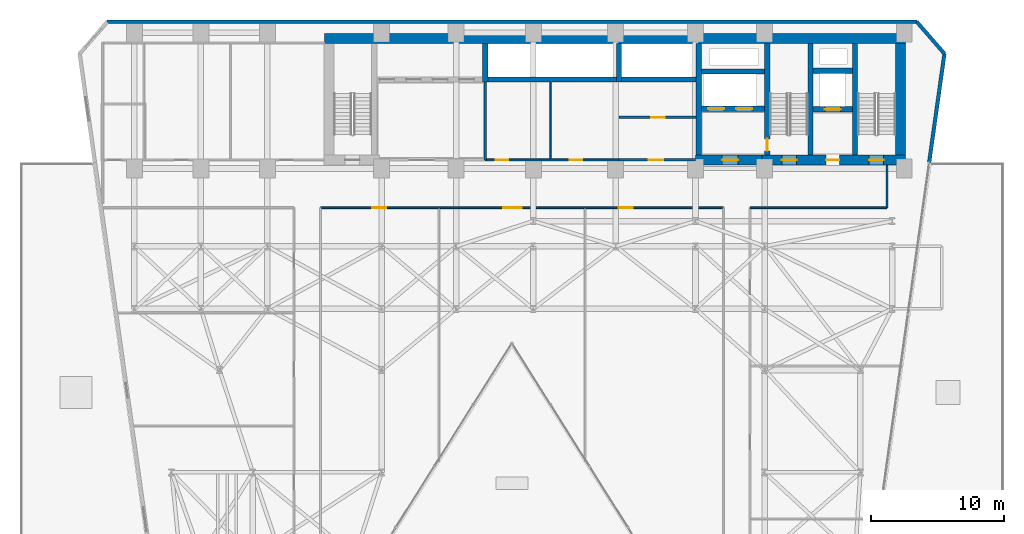
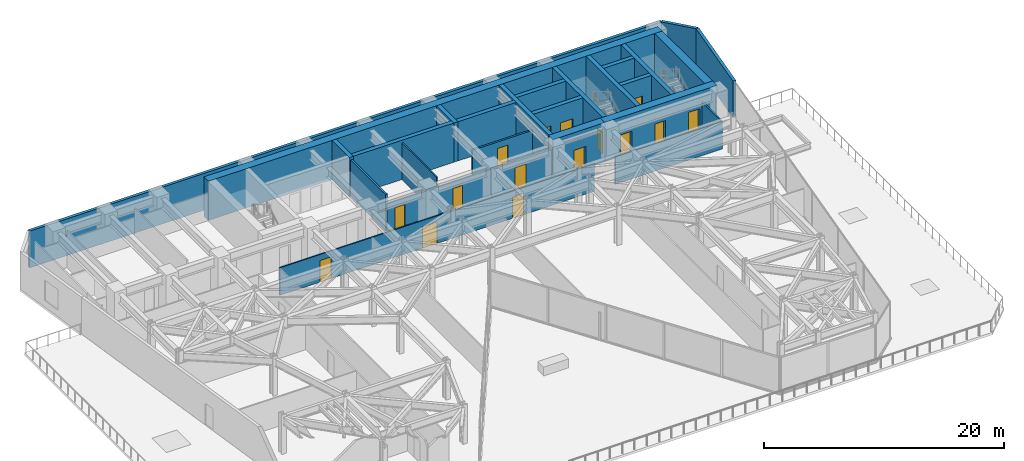
# One storey, part 19 of 25: 27 walls, 15 doors, 15 openings.
"""IFC4 building model written with IfcOpenShell, lengths in metres."""

from ifc_helpers import new_model, si_unit, direction, frame, frame_2d, origin, place, context, subcontext, project, spatial, rectangle, extrude, material, layer, layer_set, type_object, element, fill, save


model = new_model("IFC4")

# Units and contexts
model_context = context("Model", 3, precision=1e-05, world=origin(), true_north=direction((0.0, 1.0)))
body_context = subcontext(model_context, "Body", "Model", "MODEL_VIEW")
ifc_project = project(units=[si_unit("LENGTHUNIT", "METRE"), si_unit("AREAUNIT", "SQUARE_METRE"), si_unit("VOLUMEUNIT", "CUBIC_METRE"), si_unit("PLANEANGLEUNIT", "RADIAN"), si_unit("MASSUNIT", "GRAM", prefix="KILO")], contexts=[model_context])

# Site, building, storey
site_placement = place(None, origin())
site = spatial("IfcSite", under=ifc_project, at=site_placement, CompositionType="ELEMENT")
building_placement = place(site_placement, origin())
building = spatial("IfcBuilding", under=site, at=building_placement, Name="Kravanh Interchange Tower", CompositionType="ELEMENT")
storey_placement = place(building_placement, frame((0.0, 0.0, 29.5)))
storey = spatial("IfcBuildingStorey", under=building, at=storey_placement, Name="L06", CompositionType="ELEMENT", Elevation=29.5)

# Wall
ifc_material_1 = material(Name="Double Acoustic Gypsum Board and Mineral Wool")
ifc_layer_1 = layer(ifc_material_1, 0.1201171875)
ifc_layer_set_1 = layer_set([ifc_layer_1], Name="Acoustic Office Drywall Partition 120mm")
wall_type_1 = type_object("IfcWallType", Name="Acoustic Office Drywall Partition 120mm", PredefinedType="PARTITIONING", material=ifc_layer_set_1)
wall_1_placement = place(storey_placement, frame((39.89990234375, 38.068115234375, 0.0), z_axis=(0.0, 0.0, 1.0), x_axis=(0.0, 1.0, 0.0)))
element("IfcWall", 1, at=wall_1_placement, inside=storey, type_object=wall_type_1, Name="L06 Interior Partition 6", PredefinedType="PARTITIONING", context=body_context, shape_type="SweptSolid", body=[
    extrude(rectangle(XDim=5.77392578125, YDim=0.1201171875, at=frame_2d((2.886962890625, 0.0))), origin(), (0.0, 0.0, 1.0), 3.739990234375),
])

# Wall, openings, doors
wall_2_placement = place(storey_placement, frame((22.60009765625, 34.39990234375, 0.0), z_axis=(0.0, 0.0, 1.0), x_axis=(1.0, 0.0, 0.0)))
wall_2 = element("IfcWall", 2, at=wall_2_placement, inside=storey, type_object=wall_type_1, Name="L06 Interior Partition 14", PredefinedType="PARTITIONING", context=body_context, shape_type="SweptSolid", body=[
    extrude(rectangle(XDim=30.2998046875, YDim=0.1201171875, at=frame_2d((15.14990234375, 0.0))), origin(), (0.0, 0.0, 1.0), 2.81298828125),
])
opening_1_placement = place(wall_2_placement, frame((3.884521484375, 0.0, 0.0)))
opening_1 = element("IfcOpeningElement", 3, at=opening_1_placement, cuts=wall_2, Name="Opening D-105", PredefinedType="OPENING", context=body_context, shape_type="SweptSolid", body=[
    extrude(rectangle(XDim=1.050048828125, YDim=2.199951171875, at=frame_2d((0.52490234375, 1.10009765625))), frame((0.0, 0.070068359375, 0.0), z_axis=(0.0, -1.0, 0.0), x_axis=(1.0, 0.0, 0.0)), (0.0, 0.0, 1.0), 0.14013671875),
])
opening_2_placement = place(wall_2_placement, frame((13.740234375, 0.0, 0.0)))
opening_2 = element("IfcOpeningElement", 4, at=opening_2_placement, cuts=wall_2, Name="Opening DBL-140", PredefinedType="OPENING", context=body_context, shape_type="SweptSolid", body=[
    extrude(rectangle(XDim=1.39990234375, YDim=2.199951171875, at=frame_2d((0.699951171875, 1.10009765625))), frame((0.0, 0.070068359375, 0.0), z_axis=(0.0, -1.0, 0.0), x_axis=(1.0, 0.0, 0.0)), (0.0, 0.0, 1.0), 0.14013671875),
])
opening_3_placement = place(wall_2_placement, frame((22.41552734375, 0.0, 0.0)))
opening_3 = element("IfcOpeningElement", 5, at=opening_3_placement, cuts=wall_2, Name="Opening D-105", PredefinedType="OPENING", context=body_context, shape_type="SweptSolid", body=[
    extrude(rectangle(XDim=1.050048828125, YDim=2.199951171875, at=frame_2d((0.52490234375, 1.10009765625))), frame((0.0, 0.070068359375, 0.0), z_axis=(0.0, -1.0, 0.0), x_axis=(1.0, 0.0, 0.0)), (0.0, 0.0, 1.0), 0.14013671875),
])
ifc_material_2 = material(Name="Acoustic Bronze-Framed Glass", Category="glass")
door_type_1 = type_object("IfcDoorType", Name="Hospitality Lounge Double Door 1400x2200", OperationType="DOUBLE_DOOR_SINGLE_SWING", PredefinedType="DOOR", material=ifc_material_2)
door_1_placement = place(opening_2_placement, origin())
door_1 = element("IfcDoor", 6, at=door_1_placement, inside=storey, type_object=door_type_1, Name="L06 Staff Tea Kitchenette Door", OperationType="DOUBLE_DOOR_SINGLE_SWING", OverallHeight=2.199951171875, OverallWidth=1.39990234375, PredefinedType="DOOR", context=body_context, shape_type="SweptSolid", body=[
    extrude(rectangle(XDim=1.39990234375, YDim=2.199951171875, at=frame_2d((0.699951171875, 1.10009765625))), frame((0.0, 0.02490234375, 0.0), z_axis=(0.0, -1.0, 0.0), x_axis=(1.0, 0.0, 0.0)), (0.0, 0.0, 1.0), 0.050048828125),
])
fill(opening_2, door_1)
ifc_material_3 = material(Name="Acoustic Glazed Oak and Aluminium", Category="aluminium")
door_type_2 = type_object("IfcDoorType", Name="Office Workplace Door 1050x2200", OperationType="NOTDEFINED", PredefinedType="DOOR", material=ifc_material_3)
door_2_placement = place(opening_1_placement, origin())
door_2 = element("IfcDoor", 7, at=door_2_placement, inside=storey, type_object=door_type_2, Name="L06 Central Briefing Boardroom Door", OperationType="SINGLE_SWING_RIGHT", OverallHeight=2.199951171875, OverallWidth=1.050048828125, PredefinedType="DOOR", context=body_context, shape_type="SweptSolid", body=[
    extrude(rectangle(XDim=1.050048828125, YDim=2.199951171875, at=frame_2d((0.52490234375, 1.10009765625))), frame((0.0, 0.02490234375, 0.0), z_axis=(0.0, -1.0, 0.0), x_axis=(1.0, 0.0, 0.0)), (0.0, 0.0, 1.0), 0.050048828125),
])
fill(opening_1, door_2)
door_3_placement = place(opening_3_placement, origin())
door_3 = element("IfcDoor", 8, at=door_3_placement, inside=storey, type_object=door_type_2, Name="L06 Project Archive Store Door", OperationType="SINGLE_SWING_LEFT", OverallHeight=2.199951171875, OverallWidth=1.050048828125, PredefinedType="DOOR", context=body_context, shape_type="SweptSolid", body=[
    extrude(rectangle(XDim=1.050048828125, YDim=2.199951171875, at=frame_2d((0.52490234375, 1.10009765625))), frame((0.0, 0.02490234375, 0.0), z_axis=(0.0, -1.0, 0.0), x_axis=(1.0, 0.0, 0.0)), (0.0, 0.0, 1.0), 0.050048828125),
])
fill(opening_3, door_3)

# Walls
wall_3_placement = place(storey_placement, frame((54.89990234375, 34.39990234375, 0.0), z_axis=(0.0, 0.0, 1.0), x_axis=(1.0, 0.0, 0.0)))
element("IfcWall", 9, at=wall_3_placement, inside=storey, type_object=wall_type_1, Name="L06 Interior Partition 15", PredefinedType="PARTITIONING", context=body_context, shape_type="SweptSolid", body=[
    extrude(rectangle(XDim=10.300048828125, YDim=0.1201171875, at=frame_2d((5.14990234375, 0.0))), origin(), (0.0, 0.0, 1.0), 2.81298828125),
])
wall_4_placement = place(storey_placement, frame((65.199951171875, 34.39990234375, 0.0), z_axis=(0.0, 0.0, 1.0), x_axis=(0.0, 1.0, 0.0)))
element("IfcWall", 10, at=wall_4_placement, inside=storey, type_object=wall_type_1, Name="L06 Interior Partition 17", PredefinedType="PARTITIONING", context=body_context, shape_type="SweptSolid", body=[
    extrude(rectangle(XDim=3.217041015625, YDim=0.1201171875, at=frame_2d((1.6083984375, 0.0))), origin(), (0.0, 0.0, 1.0), 2.81298828125),
])
ifc_material_4 = material(Name="Concrete C80/95", Category="concrete")
ifc_layer_2 = layer(ifc_material_4, 0.39990234375)
ifc_layer_set_2 = layer_set([ifc_layer_2], Name="Core Shear Wall Concrete C80/95 400mm")
wall_type_2 = type_object("IfcWallType", Name="Core Shear Wall Concrete C80/95 400mm", PredefinedType="SHEAR", material=ifc_layer_set_2)
for number, where, z_axis, x_axis, name in (
    (11, (62.800048828125, 38.375, 0.0), (0.0, 0.0, 1.0), (0.0, 1.0, 0.0), "L06 Stair ST1 West Shear Wall"),
    (12, (59.449951171875, 38.375, 0.0), (0.0, 0.0, 1.0), (0.0, 1.0, 0.0), "L06 Stair ST2 East Shear Wall"),
):
    element("IfcWall", number, at=place(storey_placement, frame(where, z_axis=z_axis, x_axis=x_axis)), inside=storey, type_object=wall_type_2, Name=name, PredefinedType="SHEAR", context=body_context, shape_type="SweptSolid", body=[
        extrude(rectangle(XDim=8.375, YDim=0.39990234375, at=frame_2d((4.1875, 0.0))), origin(), (0.0, 0.0, 1.0), 4.0),
    ])

# Wall, opening, door
wall_5_placement = place(storey_placement, frame((56.199951171875, 38.375, 0.0), z_axis=(0.0, 0.0, 1.0), x_axis=(0.0, 1.0, 0.0)))
wall_5 = element("IfcWall", 13, at=wall_5_placement, inside=storey, type_object=wall_type_2, Name="L06 Stair ST2 West Shear Wall", PredefinedType="SHEAR", context=body_context, shape_type="SweptSolid", body=[
    extrude(rectangle(XDim=8.375, YDim=0.39990234375, at=frame_2d((4.1875, 0.0))), origin(), (0.0, 0.0, 1.0), 4.0),
])
opening_4_placement = place(wall_5_placement, frame((0.304931640625, 0.0, 0.0)))
opening_4 = element("IfcOpeningElement", 14, at=opening_4_placement, cuts=wall_5, Name="Opening D-STAIR-90", PredefinedType="OPENING", context=body_context, shape_type="SweptSolid", body=[
    extrude(rectangle(XDim=0.89990234375, YDim=2.14990234375, at=frame_2d((0.449951171875, 1.074951171875))), frame((0.0, 0.2099609375, 0.0), z_axis=(0.0, -1.0, 0.0), x_axis=(1.0, 0.0, 0.0)), (0.0, 0.0, 1.0), 0.419921875),
])
ifc_material_5 = material(Name="Structural Steel S355", Category="steel")
door_type_3 = type_object("IfcDoorType", Name="Fire-Rated Stair Lobby Door 900x2150", OperationType="NOTDEFINED", PredefinedType="DOOR", material=ifc_material_5)
door_4_placement = place(opening_4_placement, origin())
door_4 = element("IfcDoor", 15, at=door_4_placement, inside=storey, type_object=door_type_3, Name="L06 Firefighting Lobby to Stair ST2 Door", OperationType="SINGLE_SWING_LEFT", OverallHeight=2.14990234375, OverallWidth=0.89990234375, PredefinedType="DOOR", context=body_context, shape_type="SweptSolid", body=[
    extrude(rectangle(XDim=0.89990234375, YDim=2.14990234375, at=frame_2d((0.449951171875, 1.074951171875))), frame((0.0, 0.02490234375, 0.0), z_axis=(0.0, -1.0, 0.0), x_axis=(1.0, 0.0, 0.0)), (0.0, 0.0, 1.0), 0.050048828125),
])
fill(opening_4, door_4)

wall_6_placement = place(storey_placement, frame((59.64990234375, 41.800048828125, 0.0), z_axis=(0.0, 0.0, 1.0), x_axis=(1.0, 0.0, 0.0)))
wall_6 = element("IfcWall", 16, at=wall_6_placement, inside=storey, type_object=wall_type_2, Name="L06 Service Lift Shaft South Wall", PredefinedType="SHEAR", context=body_context, shape_type="SweptSolid", body=[
    extrude(rectangle(XDim=2.9501953125, YDim=0.39990234375, at=frame_2d((1.47509765625, 0.0))), origin(), (0.0, 0.0, 1.0), 4.0),
])
opening_5_placement = place(wall_6_placement, frame((0.8701171875, 0.0, 0.0)))
opening_5 = element("IfcOpeningElement", 17, at=opening_5_placement, cuts=wall_6, Name="Opening LD02", PredefinedType="OPENING", context=body_context, shape_type="SweptSolid", body=[
    extrude(rectangle(XDim=1.199951171875, YDim=2.199951171875, at=frame_2d((0.60009765625, 1.10009765625))), frame((0.0, 0.2099609375, 0.0), z_axis=(0.0, -1.0, 0.0), x_axis=(1.0, 0.0, 0.0)), (0.0, 0.0, 1.0), 0.419921875),
])
ifc_material_6 = material(Name="Stainless Steel 316", Category="steel")
door_type_4 = type_object("IfcDoorType", Name="Fire and Service Lift Sliding Landing Door 1200x2200", OperationType="DOUBLE_DOOR_SLIDING", PredefinedType="DOOR", material=ifc_material_6)
door_5_placement = place(opening_5_placement, origin())
door_5 = element("IfcDoor", 18, at=door_5_placement, inside=storey, type_object=door_type_4, Name="L06 Lift LS-01 Landing Door", OperationType="DOUBLE_DOOR_SLIDING", OverallHeight=2.199951171875, OverallWidth=1.199951171875, PredefinedType="DOOR", context=body_context, shape_type="SweptSolid", body=[
    extrude(rectangle(XDim=1.199951171875, YDim=2.199951171875, at=frame_2d((0.60009765625, 1.10009765625))), frame((0.0, 0.02490234375, 0.0), z_axis=(0.0, -1.0, 0.0), x_axis=(1.0, 0.0, 0.0)), (0.0, 0.0, 1.0), 0.050048828125),
])
fill(opening_5, door_5)

# Wall
wall_7_placement = place(storey_placement, frame((59.64990234375, 44.699951171875, 0.0), z_axis=(0.0, 0.0, 1.0), x_axis=(1.0, 0.0, 0.0)))
element("IfcWall", 19, at=wall_7_placement, inside=storey, type_object=wall_type_2, Name="L06 Service Lift Shaft North Wall", PredefinedType="SHEAR", context=body_context, shape_type="SweptSolid", body=[
    extrude(rectangle(XDim=2.9501953125, YDim=0.39990234375, at=frame_2d((1.47509765625, 0.0))), origin(), (0.0, 0.0, 1.0), 4.0),
])

# Wall, openings, doors
wall_8_placement = place(storey_placement, frame((51.25, 41.85009765625, 0.0), z_axis=(0.0, 0.0, 1.0), x_axis=(1.0, 0.0, 0.0)))
wall_8 = element("IfcWall", 20, at=wall_8_placement, inside=storey, type_object=wall_type_2, Name="L06 Fire Lift Shaft South Wall", PredefinedType="SHEAR", context=body_context, shape_type="SweptSolid", body=[
    extrude(rectangle(XDim=4.75, YDim=0.39990234375, at=frame_2d((2.375, 0.0))), origin(), (0.0, 0.0, 1.0), 4.0),
])
opening_6_placement = place(wall_8_placement, frame((0.5, 0.0, 0.0)))
opening_6 = element("IfcOpeningElement", 21, at=opening_6_placement, cuts=wall_8, Name="Opening LD02", PredefinedType="OPENING", context=body_context, shape_type="SweptSolid", body=[
    extrude(rectangle(XDim=1.199951171875, YDim=2.199951171875, at=frame_2d((0.60009765625, 1.10009765625))), frame((0.0, 0.2099609375, 0.0), z_axis=(0.0, -1.0, 0.0), x_axis=(1.0, 0.0, 0.0)), (0.0, 0.0, 1.0), 0.419921875),
])
opening_7_placement = place(wall_8_placement, frame((2.60009765625, 0.0, 0.0)))
opening_7 = element("IfcOpeningElement", 22, at=opening_7_placement, cuts=wall_8, Name="Opening LD02", PredefinedType="OPENING", context=body_context, shape_type="SweptSolid", body=[
    extrude(rectangle(XDim=1.199951171875, YDim=2.199951171875, at=frame_2d((0.60009765625, 1.10009765625))), frame((0.0, 0.2099609375, 0.0), z_axis=(0.0, -1.0, 0.0), x_axis=(1.0, 0.0, 0.0)), (0.0, 0.0, 1.0), 0.419921875),
])
door_6_placement = place(opening_6_placement, origin())
door_6 = element("IfcDoor", 23, at=door_6_placement, inside=storey, type_object=door_type_4, Name="L06 Lift FSAE-01 Landing Door", OperationType="DOUBLE_DOOR_SLIDING", OverallHeight=2.199951171875, OverallWidth=1.199951171875, PredefinedType="DOOR", context=body_context, shape_type="SweptSolid", body=[
    extrude(rectangle(XDim=1.199951171875, YDim=2.199951171875, at=frame_2d((0.60009765625, 1.10009765625))), frame((0.0, 0.02490234375, 0.0), z_axis=(0.0, -1.0, 0.0), x_axis=(1.0, 0.0, 0.0)), (0.0, 0.0, 1.0), 0.050048828125),
])
fill(opening_6, door_6)
door_7_placement = place(opening_7_placement, origin())
door_7 = element("IfcDoor", 24, at=door_7_placement, inside=storey, type_object=door_type_4, Name="L06 Lift FSAE-02 Landing Door", OperationType="DOUBLE_DOOR_SLIDING", OverallHeight=2.199951171875, OverallWidth=1.199951171875, PredefinedType="DOOR", context=body_context, shape_type="SweptSolid", body=[
    extrude(rectangle(XDim=1.199951171875, YDim=2.199951171875, at=frame_2d((0.60009765625, 1.10009765625))), frame((0.0, 0.02490234375, 0.0), z_axis=(0.0, -1.0, 0.0), x_axis=(1.0, 0.0, 0.0)), (0.0, 0.0, 1.0), 0.050048828125),
])
fill(opening_7, door_7)

# Walls
wall_9_placement = place(storey_placement, frame((51.25, 44.64990234375, 0.0), z_axis=(0.0, 0.0, 1.0), x_axis=(1.0, 0.0, 0.0)))
element("IfcWall", 25, at=wall_9_placement, inside=storey, type_object=wall_type_2, Name="L06 Fire Lift Shaft North Wall", PredefinedType="SHEAR", context=body_context, shape_type="SweptSolid", body=[
    extrude(rectangle(XDim=4.75, YDim=0.39990234375, at=frame_2d((2.375, 0.0))), origin(), (0.0, 0.0, 1.0), 4.0),
])
wall_10_placement = place(storey_placement, frame((51.050048828125, 38.375, 0.0), z_axis=(0.0, 0.0, 1.0), x_axis=(0.0, 1.0, 0.0)))
element("IfcWall", 26, at=wall_10_placement, inside=storey, type_object=wall_type_2, Name="L06 Firefighting Lobby West Wall", PredefinedType="SHEAR", context=body_context, shape_type="SweptSolid", body=[
    extrude(rectangle(XDim=8.375, YDim=0.39990234375, at=frame_2d((4.1875, 0.0))), origin(), (0.0, 0.0, 1.0), 4.0),
])
wall_11_placement = place(storey_placement, frame((45.25, 44.050048828125, 0.0), z_axis=(0.0, 0.0, 1.0), x_axis=(1.0, 0.0, 0.0)))
element("IfcWall", 27, at=wall_11_placement, inside=storey, type_object=wall_type_2, Name="L06 High-Rise Lift Shaft South Wall", PredefinedType="SHEAR", context=body_context, shape_type="SweptSolid", body=[
    extrude(rectangle(XDim=5.60009765625, YDim=0.39990234375, at=frame_2d((2.800048828125, 0.0))), origin(), (0.0, 0.0, 1.0), 4.0),
])
wall_12_placement = place(storey_placement, frame((45.050048828125, 43.85009765625, 0.0), z_axis=(0.0, 0.0, 1.0), x_axis=(0.0, 1.0, 0.0)))
element("IfcWall", 28, at=wall_12_placement, inside=storey, type_object=wall_type_2, Name="L06 High-Rise Lift Shaft West Wall", PredefinedType="SHEAR", context=body_context, shape_type="SweptSolid", body=[
    extrude(rectangle(XDim=2.89990234375, YDim=0.39990234375, at=frame_2d((1.449951171875, 0.0))), origin(), (0.0, 0.0, 1.0), 4.0),
])
wall_13_placement = place(storey_placement, frame((35.199951171875, 44.050048828125, 0.0), z_axis=(0.0, 0.0, 1.0), x_axis=(1.0, 0.0, 0.0)))
element("IfcWall", 29, at=wall_13_placement, inside=storey, type_object=wall_type_2, Name="L06 Mid-Rise Lift Shaft South Wall", PredefinedType="SHEAR", context=body_context, shape_type="SweptSolid", body=[
    extrude(rectangle(XDim=9.650146484375, YDim=0.39990234375, at=frame_2d((4.8251953125, 0.0))), origin(), (0.0, 0.0, 1.0), 4.0),
])
wall_14_placement = place(storey_placement, frame((35.0, 43.85009765625, 0.0), z_axis=(0.0, 0.0, 1.0), x_axis=(0.0, 1.0, 0.0)))
element("IfcWall", 30, at=wall_14_placement, inside=storey, type_object=wall_type_2, Name="L06 Mid-Rise Lift Shaft West Wall", PredefinedType="SHEAR", context=body_context, shape_type="SweptSolid", body=[
    extrude(rectangle(XDim=2.89990234375, YDim=0.39990234375, at=frame_2d((1.449951171875, 0.0))), origin(), (0.0, 0.0, 1.0), 4.0),
])
ifc_material_7 = material(Name="Concrete C80/95", Category="concrete")
ifc_layer_3 = layer(ifc_material_7, 0.75)
ifc_layer_set_3 = layer_set([ifc_layer_3], Name="Core Shear Wall Concrete C80/95 750mm")
wall_type_3 = type_object("IfcWallType", Name="Core Shear Wall Concrete C80/95 750mm", PredefinedType="SHEAR", material=ifc_layer_set_3)
wall_15_placement = place(storey_placement, frame((22.89990234375, 47.125, 0.0), z_axis=(0.0, 0.0, 1.0), x_axis=(1.0, 0.0, 0.0)))
element("IfcWall", 31, at=wall_15_placement, inside=storey, type_object=wall_type_3, Name="L06 North Core Shear Wall", PredefinedType="SHEAR", context=body_context, shape_type="SweptSolid", body=[
    extrude(rectangle(XDim=43.7001953125, YDim=0.75, at=frame_2d((21.85009765625, 0.0))), origin(), (0.0, 0.0, 1.0), 4.0),
])

# Wall, openings, doors
wall_16_placement = place(storey_placement, frame((55.800048828125, 38.0, 0.0), z_axis=(0.0, 0.0, 1.0), x_axis=(1.0, 0.0, 0.0)))
wall_16 = element("IfcWall", 32, at=wall_16_placement, inside=storey, type_object=wall_type_3, Name="L06 East Core South Shear Wall", PredefinedType="SHEAR", context=body_context, shape_type="SweptSolid", body=[
    extrude(rectangle(XDim=10.800048828125, YDim=0.75, at=frame_2d((5.39990234375, 0.0))), origin(), (0.0, 0.0, 1.0), 4.0),
])
opening_8_placement = place(wall_16_placement, frame((1.5, 0.0, 0.0)))
opening_8 = element("IfcOpeningElement", 33, at=opening_8_placement, cuts=wall_16, Name="Opening D-STAIR-110", PredefinedType="OPENING", context=body_context, shape_type="SweptSolid", body=[
    extrude(rectangle(XDim=1.10009765625, YDim=2.199951171875, at=frame_2d((0.550048828125, 1.10009765625))), frame((0.0, 0.385009765625, 0.0), z_axis=(0.0, -1.0, 0.0), x_axis=(1.0, 0.0, 0.0)), (0.0, 0.0, 1.0), 0.77001953125),
])
opening_9_placement = place(wall_16_placement, frame((4.820068359375, 0.0, 0.0)))
opening_9 = element("IfcOpeningElement", 34, at=opening_9_placement, cuts=wall_16, Name="Opening D-HOTEL-100", PredefinedType="OPENING", context=body_context, shape_type="SweptSolid", body=[
    extrude(rectangle(XDim=1.0, YDim=2.14990234375, at=frame_2d((0.5, 1.074951171875))), frame((0.0, 0.385009765625, 0.0), z_axis=(0.0, -1.0, 0.0), x_axis=(1.0, 0.0, 0.0)), (0.0, 0.0, 1.0), 0.77001953125),
])
opening_10_placement = place(wall_16_placement, frame((8.050048828125, 0.0, 0.0)))
opening_10 = element("IfcOpeningElement", 35, at=opening_10_placement, cuts=wall_16, Name="Opening D-STAIR-110", PredefinedType="OPENING", context=body_context, shape_type="SweptSolid", body=[
    extrude(rectangle(XDim=1.10009765625, YDim=2.199951171875, at=frame_2d((0.550048828125, 1.10009765625))), frame((0.0, 0.385009765625, 0.0), z_axis=(0.0, -1.0, 0.0), x_axis=(1.0, 0.0, 0.0)), (0.0, 0.0, 1.0), 0.77001953125),
])
ifc_material_8 = material(Name="Structural Steel S355", Category="steel")
door_type_5 = type_object("IfcDoorType", Name="Fire-Rated Exit Stair Door 1100x2200", OperationType="NOTDEFINED", PredefinedType="DOOR", material=ifc_material_8)
door_8_placement = place(opening_8_placement, origin())
door_8 = element("IfcDoor", 36, at=door_8_placement, inside=storey, type_object=door_type_5, Name="L06 Exit Stair ST2 Door", OperationType="SINGLE_SWING_RIGHT", OverallHeight=2.199951171875, OverallWidth=1.10009765625, PredefinedType="DOOR", context=body_context, shape_type="SweptSolid", body=[
    extrude(rectangle(XDim=1.10009765625, YDim=2.199951171875, at=frame_2d((0.550048828125, 1.10009765625))), frame((0.0, 0.02490234375, 0.0), z_axis=(0.0, -1.0, 0.0), x_axis=(1.0, 0.0, 0.0)), (0.0, 0.0, 1.0), 0.050048828125),
])
fill(opening_8, door_8)
door_9_placement = place(opening_10_placement, origin())
door_9 = element("IfcDoor", 37, at=door_9_placement, inside=storey, type_object=door_type_5, Name="L06 Exit Stair ST1 Door", OperationType="SINGLE_SWING_RIGHT", OverallHeight=2.199951171875, OverallWidth=1.10009765625, PredefinedType="DOOR", context=body_context, shape_type="SweptSolid", body=[
    extrude(rectangle(XDim=1.10009765625, YDim=2.199951171875, at=frame_2d((0.550048828125, 1.10009765625))), frame((0.0, 0.02490234375, 0.0), z_axis=(0.0, -1.0, 0.0), x_axis=(1.0, 0.0, 0.0)), (0.0, 0.0, 1.0), 0.050048828125),
])
fill(opening_10, door_9)
ifc_material_9 = material(Name="Fire-Rated Solid Timber Leaf", Category="wood")
door_type_6 = type_object("IfcDoorType", Name="Fire-Rated Suite Entrance Door 1000x2150", OperationType="NOTDEFINED", PredefinedType="DOOR", material=ifc_material_9)
door_10_placement = place(opening_9_placement, origin())
door_10 = element("IfcDoor", 38, at=door_10_placement, inside=storey, type_object=door_type_6, Name="L06 Service Lift Lobby Door", OperationType="SINGLE_SWING_RIGHT", OverallHeight=2.14990234375, OverallWidth=1.0, PredefinedType="DOOR", context=body_context, shape_type="SweptSolid", body=[
    extrude(rectangle(XDim=1.0, YDim=2.14990234375, at=frame_2d((0.5, 1.074951171875))), frame((0.0, 0.02490234375, 0.0), z_axis=(0.0, -1.0, 0.0), x_axis=(1.0, 0.0, 0.0)), (0.0, 0.0, 1.0), 0.050048828125),
])
fill(opening_9, door_10)

# Wall
wall_17_placement = place(storey_placement, frame((66.22509765625, 38.375, 0.0), z_axis=(0.0, 0.0, 1.0), x_axis=(0.0, 1.0, 0.0)))
element("IfcWall", 39, at=wall_17_placement, inside=storey, type_object=wall_type_3, Name="L06 Stair ST1 East Shear Wall", PredefinedType="SHEAR", context=body_context, shape_type="SweptSolid", body=[
    extrude(rectangle(XDim=8.375, YDim=0.75, at=frame_2d((4.1875, 0.0))), origin(), (0.0, 0.0, 1.0), 4.0),
])

# Wall, opening, door
wall_18_placement = place(storey_placement, frame((50.800048828125, 38.0, 0.0), z_axis=(0.0, 0.0, 1.0), x_axis=(1.0, 0.0, 0.0)))
wall_18 = element("IfcWall", 40, at=wall_18_placement, inside=storey, type_object=wall_type_3, Name="L06 Firefighting Lobby South Shear Wall", PredefinedType="SHEAR", context=body_context, shape_type="SweptSolid", body=[
    extrude(rectangle(XDim=5.0, YDim=0.75, at=frame_2d((2.5, 0.0))), origin(), (0.0, 0.0, 1.0), 4.0),
])
opening_11_placement = place(wall_18_placement, frame((2.0, 0.0, 0.0)))
opening_11 = element("IfcOpeningElement", 41, at=opening_11_placement, cuts=wall_18, Name="Opening D-FSAE-120", PredefinedType="OPENING", context=body_context, shape_type="SweptSolid", body=[
    extrude(rectangle(XDim=1.199951171875, YDim=2.199951171875, at=frame_2d((0.60009765625, 1.10009765625))), frame((0.0, 0.385009765625, 0.0), z_axis=(0.0, -1.0, 0.0), x_axis=(1.0, 0.0, 0.0)), (0.0, 0.0, 1.0), 0.77001953125),
])
ifc_material_10 = material(Name="Structural Steel S355", Category="steel")
door_type_7 = type_object("IfcDoorType", Name="Fire-Rated Refuge and FSAE Door 1200x2200", OperationType="NOTDEFINED", PredefinedType="DOOR", material=ifc_material_10)
door_11_placement = place(opening_11_placement, origin())
door_11 = element("IfcDoor", 42, at=door_11_placement, inside=storey, type_object=door_type_7, Name="L06 Firefighting Lobby Corridor Door", OperationType="SINGLE_SWING_RIGHT", OverallHeight=2.199951171875, OverallWidth=1.199951171875, PredefinedType="DOOR", context=body_context, shape_type="SweptSolid", body=[
    extrude(rectangle(XDim=1.199951171875, YDim=2.199951171875, at=frame_2d((0.60009765625, 1.10009765625))), frame((0.0, 0.02490234375, 0.0), z_axis=(0.0, -1.0, 0.0), x_axis=(1.0, 0.0, 0.0)), (0.0, 0.0, 1.0), 0.050048828125),
])
fill(opening_11, door_11)

# Walls
ifc_material_11 = material(Name="Insulated Precast Concrete C40/50 with Bronze Cladding", Category="concrete")
ifc_layer_4 = layer(ifc_material_11, 0.280029296875)
ifc_layer_set_4 = layer_set([ifc_layer_4], Name="Exterior Insulated Concrete C40/50 Bronze Spandrel Wall 280mm")
wall_type_4 = type_object("IfcWallType", Name="Exterior Insulated Concrete C40/50 Bronze Spandrel Wall 280mm", PredefinedType="STANDARD", material=ifc_layer_set_4)
wall_19_placement = place(storey_placement, frame((6.5546875, 48.3798828125, 0.0), z_axis=(0.0, 0.0, 1.0), x_axis=(1.0, 0.0, 0.0)))
element("IfcWall", 43, at=wall_19_placement, inside=storey, type_object=wall_type_4, Name="L06 Exterior Wall 4", PredefinedType="STANDARD", context=body_context, shape_type="SweptSolid", body=[
    extrude(rectangle(XDim=60.890625, YDim=0.280029296875, at=frame_2d((30.4453125, 0.0))), origin(), (0.0, 0.0, 1.0), 3.739990234375),
])
wall_20_placement = place(storey_placement, frame((67.4453125, 48.3798828125, 0.0), z_axis=(0.0, 0.0, 1.0), x_axis=(0.656070053895, -0.754699996278, 0.0)))
element("IfcWall", 44, at=wall_20_placement, inside=storey, type_object=wall_type_4, Name="L06 Exterior Wall 5", PredefinedType="STANDARD", context=body_context, shape_type="SweptSolid", body=[
    extrude(rectangle(XDim=3.1708984375, YDim=0.280029296875, at=frame_2d((1.58544921875, 0.0))), origin(), (0.0, 0.0, 1.0), 3.739990234375),
])
wall_21_placement = place(storey_placement, frame((69.525634765625, 45.98681640625, 0.0), z_axis=(0.0, 0.0, 1.0), x_axis=(-0.139180172484, -0.990267074878, 0.0)))
element("IfcWall", 45, at=wall_21_placement, inside=storey, type_object=wall_type_4, Name="L06 Exterior Wall 6", PredefinedType="STANDARD", context=body_context, shape_type="SweptSolid", body=[
    extrude(rectangle(XDim=8.267333984375, YDim=0.280029296875, at=frame_2d((4.1337890625, 0.0))), origin(), (0.0, 0.0, 1.0), 3.739990234375),
])

# Wall, opening, door
ifc_material_12 = material(Name="Autoclaved Aerated Concrete C30/37 Blockwork", Category="masonry")
ifc_layer_5 = layer(ifc_material_12, 0.179931640625)
ifc_layer_set_5 = layer_set([ifc_layer_5], Name="Fire-Rated Lobby and Corridor Wall Concrete C30/37 180mm")
wall_type_5 = type_object("IfcWallType", Name="Fire-Rated Lobby and Corridor Wall Concrete C30/37 180mm", PredefinedType="STANDARD", material=ifc_layer_set_5)
wall_22_placement = place(storey_placement, frame((45.050048828125, 38.0, 0.0), z_axis=(0.0, 0.0, 1.0), x_axis=(1.0, 0.0, 0.0)))
wall_22 = element("IfcWall", 46, at=wall_22_placement, inside=storey, type_object=wall_type_5, Name="L06 Core South Enclosure 1", PredefinedType="STANDARD", context=body_context, shape_type="SweptSolid", body=[
    extrude(rectangle(XDim=5.75, YDim=0.179931640625, at=frame_2d((2.875, 0.0))), origin(), (0.0, 0.0, 1.0), 2.81298828125),
])
opening_12_placement = place(wall_22_placement, frame((2.240478515625, 0.0, 0.0)))
opening_12 = element("IfcOpeningElement", 47, at=opening_12_placement, cuts=wall_22, Name="Opening D-SHAFT-110", PredefinedType="OPENING", context=body_context, shape_type="SweptSolid", body=[
    extrude(rectangle(XDim=1.10009765625, YDim=2.199951171875, at=frame_2d((0.550048828125, 1.10009765625))), frame((0.0, 0.10009765625, 0.0), z_axis=(0.0, -1.0, 0.0), x_axis=(1.0, 0.0, 0.0)), (0.0, 0.0, 1.0), 0.199951171875),
])
ifc_material_13 = material(Name="Fire-Rated Composite Timber Leaf", Category="wood")
door_type_8 = type_object("IfcDoorType", Name="Fire-Rated Core Support Door 1100x2200", OperationType="NOTDEFINED", PredefinedType="DOOR", material=ifc_material_13)
door_12_placement = place(opening_12_placement, origin())
door_12 = element("IfcDoor", 48, at=door_12_placement, inside=storey, type_object=door_type_8, Name="L06 Core Telecom Room Door", OperationType="SINGLE_SWING_LEFT", OverallHeight=2.199951171875, OverallWidth=1.10009765625, PredefinedType="DOOR", context=body_context, shape_type="SweptSolid", body=[
    extrude(rectangle(XDim=1.10009765625, YDim=2.199951171875, at=frame_2d((0.550048828125, 1.10009765625))), frame((0.0, 0.02490234375, 0.0), z_axis=(0.0, -1.0, 0.0), x_axis=(1.0, 0.0, 0.0)), (0.0, 0.0, 1.0), 0.050048828125),
])
fill(opening_12, door_12)

wall_23_placement = place(storey_placement, frame((45.050048828125, 41.199951171875, 0.0), z_axis=(0.0, 0.0, 1.0), x_axis=(1.0, 0.0, 0.0)))
wall_23 = element("IfcWall", 49, at=wall_23_placement, inside=storey, type_object=wall_type_5, Name="L06 Interior Partition 2", PredefinedType="STANDARD", context=body_context, shape_type="SweptSolid", body=[
    extrude(rectangle(XDim=5.7919921875, YDim=0.179931640625, at=frame_2d((2.89599609375, 0.0))), origin(), (0.0, 0.0, 1.0), 2.81298828125),
])
opening_13_placement = place(wall_23_placement, frame((2.425048828125, 0.0, 0.0)))
opening_13 = element("IfcOpeningElement", 50, at=opening_13_placement, cuts=wall_23, Name="Opening D-HOTEL-100", PredefinedType="OPENING", context=body_context, shape_type="SweptSolid", body=[
    extrude(rectangle(XDim=1.0, YDim=2.14990234375, at=frame_2d((0.5, 1.074951171875))), frame((0.0, 0.10009765625, 0.0), z_axis=(0.0, -1.0, 0.0), x_axis=(1.0, 0.0, 0.0)), (0.0, 0.0, 1.0), 0.199951171875),
])
door_13_placement = place(opening_13_placement, origin())
door_13 = element("IfcDoor", 51, at=door_13_placement, inside=storey, type_object=door_type_6, Name="L06 Core Telecom Inner Door", OperationType="SINGLE_SWING_RIGHT", OverallHeight=2.14990234375, OverallWidth=1.0, PredefinedType="DOOR", context=body_context, shape_type="SweptSolid", body=[
    extrude(rectangle(XDim=1.0, YDim=2.14990234375, at=frame_2d((0.5, 1.074951171875))), frame((0.0, 0.02490234375, 0.0), z_axis=(0.0, -1.0, 0.0), x_axis=(1.0, 0.0, 0.0)), (0.0, 0.0, 1.0), 0.050048828125),
])
fill(opening_13, door_13)

# Wall
wall_24_placement = place(storey_placement, frame((35.0, 38.0, 0.0), z_axis=(0.0, 0.0, 1.0), x_axis=(0.0, 1.0, 0.0)))
element("IfcWall", 52, at=wall_24_placement, inside=storey, type_object=wall_type_5, Name="L06 Low-Rise Lobby East Wall 3", PredefinedType="STANDARD", context=body_context, shape_type="SweptSolid", body=[
    extrude(rectangle(XDim=5.85009765625, YDim=0.179931640625, at=frame_2d((2.925048828125, 0.0))), origin(), (0.0, 0.0, 1.0), 3.739990234375),
])

# Wall, openings, doors
ifc_material_14 = material(Name="Twin Stud Acoustic Gypsum Board Wall")
ifc_layer_6 = layer(ifc_material_14, 0.14990234375)
ifc_layer_set_6 = layer_set([ifc_layer_6], Name="Medium-Duty Acoustic Partition 150mm")
wall_type_6 = type_object("IfcWallType", Name="Medium-Duty Acoustic Partition 150mm", PredefinedType="PARTITIONING", material=ifc_layer_set_6)
wall_25_placement = place(storey_placement, frame((35.0, 38.0, 0.0), z_axis=(0.0, 0.0, 1.0), x_axis=(1.0, 0.0, 0.0)))
wall_25 = element("IfcWall", 53, at=wall_25_placement, inside=storey, type_object=wall_type_6, Name="L06 Core Support South Wall 5", PredefinedType="PARTITIONING", context=body_context, shape_type="SweptSolid", body=[
    extrude(rectangle(XDim=10.050048828125, YDim=0.14990234375, at=frame_2d((5.02490234375, 0.0))), origin(), (0.0, 0.0, 1.0), 2.81298828125),
])
opening_14_placement = place(wall_25_placement, frame((0.759033203125, 0.0, 0.0)))
opening_14 = element("IfcOpeningElement", 54, at=opening_14_placement, cuts=wall_25, Name="Opening D-95", PredefinedType="OPENING", context=body_context, shape_type="SweptSolid", body=[
    extrude(rectangle(XDim=0.949951171875, YDim=2.14990234375, at=frame_2d((0.47509765625, 1.074951171875))), frame((0.0, 0.0849609375, 0.0), z_axis=(0.0, -1.0, 0.0), x_axis=(1.0, 0.0, 0.0)), (0.0, 0.0, 1.0), 0.169921875),
])
opening_15_placement = place(wall_25_placement, frame((6.324951171875, 0.0, 0.0)))
opening_15 = element("IfcOpeningElement", 55, at=opening_15_placement, cuts=wall_25, Name="Opening D-95", PredefinedType="OPENING", context=body_context, shape_type="SweptSolid", body=[
    extrude(rectangle(XDim=0.949951171875, YDim=2.14990234375, at=frame_2d((0.47509765625, 1.074951171875))), frame((0.0, 0.0849609375, 0.0), z_axis=(0.0, -1.0, 0.0), x_axis=(1.0, 0.0, 0.0)), (0.0, 0.0, 1.0), 0.169921875),
])
ifc_material_15 = material(Name="Laminate Solid-Core Timber", Category="wood")
door_type_9 = type_object("IfcDoorType", Name="Accessible Restroom Door 950x2150", OperationType="NOTDEFINED", PredefinedType="DOOR", material=ifc_material_15)
door_14_placement = place(opening_14_placement, origin())
door_14 = element("IfcDoor", 56, at=door_14_placement, inside=storey, type_object=door_type_9, Name="L06 Core Electrical Room Door", OperationType="SINGLE_SWING_RIGHT", OverallHeight=2.14990234375, OverallWidth=0.949951171875, PredefinedType="DOOR", context=body_context, shape_type="SweptSolid", body=[
    extrude(rectangle(XDim=0.949951171875, YDim=2.14990234375, at=frame_2d((0.47509765625, 1.074951171875))), frame((0.0, 0.02490234375, 0.0), z_axis=(0.0, -1.0, 0.0), x_axis=(1.0, 0.0, 0.0)), (0.0, 0.0, 1.0), 0.050048828125),
])
fill(opening_14, door_14)
door_15_placement = place(opening_15_placement, origin())
door_15 = element("IfcDoor", 57, at=door_15_placement, inside=storey, type_object=door_type_9, Name="L06 Core Cleaners Store Door", OperationType="SINGLE_SWING_LEFT", OverallHeight=2.14990234375, OverallWidth=0.949951171875, PredefinedType="DOOR", context=body_context, shape_type="SweptSolid", body=[
    extrude(rectangle(XDim=0.949951171875, YDim=2.14990234375, at=frame_2d((0.47509765625, 1.074951171875))), frame((0.0, 0.02490234375, 0.0), z_axis=(0.0, -1.0, 0.0), x_axis=(1.0, 0.0, 0.0)), (0.0, 0.0, 1.0), 0.050048828125),
])
fill(opening_15, door_15)

save(model, "model.ifc")
